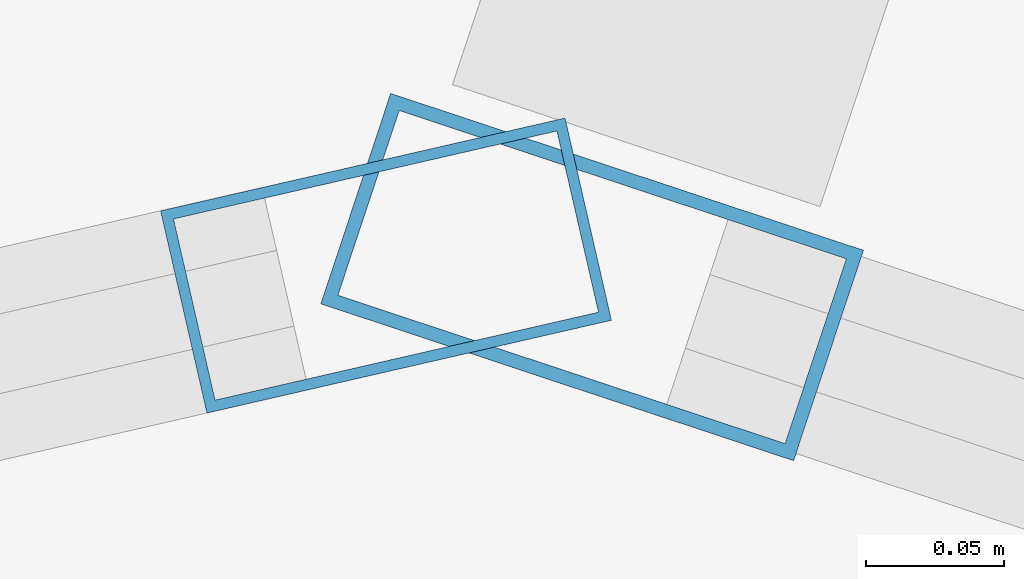
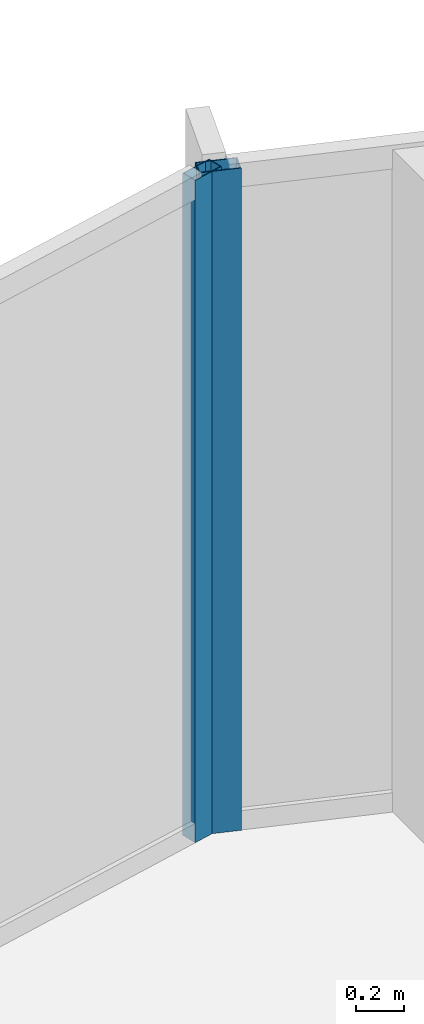
# One storey, part 22 of 34: 2 members, 2 elements without a shape of their own.
"""IFC4 building model written with IfcOpenShell, lengths in metres."""

from ifc_helpers import new_model, si_unit, direction, frame, origin, origin_2d, place, context, subcontext, project, spatial, hollow_rectangle, extrude, material, layer, layer_set, material_profile, profile_set, type_object, element, aggregate, save


model = new_model("IFC4")

# Units and contexts
model_context = context("Model", 3, precision=1e-05, world=origin(), true_north=direction((0.0, 1.0)))
body_context = subcontext(model_context, "Body", "Model", "MODEL_VIEW")
ifc_project = project(units=[si_unit("LENGTHUNIT", "METRE"), si_unit("AREAUNIT", "SQUARE_METRE"), si_unit("VOLUMEUNIT", "CUBIC_METRE"), si_unit("PLANEANGLEUNIT", "RADIAN"), si_unit("MASSUNIT", "GRAM", prefix="KILO")], contexts=[model_context])

# Site, building, storey
site_placement = place(None, origin())
site = spatial("IfcSite", under=ifc_project, at=site_placement, CompositionType="ELEMENT")
building_placement = place(site_placement, origin())
building = spatial("IfcBuilding", under=site, at=building_placement, Name="Kazevale Care Tower and Concert Hall", CompositionType="ELEMENT")
storey_placement = place(building_placement, frame((0.0, 0.0, 167.39990234375)))
storey = spatial("IfcBuildingStorey", under=building, at=storey_placement, Name="L44", CompositionType="ELEMENT", Elevation=167.39990234375)

# Curtain wall, member
ifc_material_1 = material(Name="Aluminium 6063-T6 and Low-E Glass", Category="aluminium")
ifc_layer_1 = layer(ifc_material_1, 0.179931640625)
ifc_layer_set_1 = layer_set([ifc_layer_1], Name="Aluminium 6063-T6 and Low-E Glass")
curtain_wall_type_1 = type_object("IfcCurtainWallType", Name="Convex Checkerboard Finned Curtain Wall CW-2", PredefinedType="NOTDEFINED", material=ifc_layer_set_1)
curtain_wall_1_placement = place(storey_placement, origin())
curtain_wall_1 = element("IfcCurtainWall", 1, at=curtain_wall_1_placement, inside=storey, type_object=curtain_wall_type_1, Name="cw:L44:f16", PredefinedType="NOTDEFINED")
ifc_material_2 = material(Name="Aluminium 6063-T6", Category="aluminium")
ifc_material_profile_1 = material_profile(ifc_material_2, hollow_rectangle(XDim=0.080078125, YDim=0.179931640625, WallThickness=0.0048828125, at=origin_2d()), Name="ALU80x180x5")
ifc_profile_set_1 = profile_set([ifc_material_profile_1], Name="Aluminium 6063-T6")
member_type_1 = type_object("IfcMemberType", Name="CW-2 Mullion ALU80x180x5", PredefinedType="MULLION", material=ifc_profile_set_1)
member_1_placement = place(storey_placement, frame((44.995849609375, 66.75537109375, 0.0), z_axis=(0.0, 0.0, 1.0), x_axis=(0.314868185785, 0.949135409507, 0.0)))
member_1 = element("IfcMember", 2, at=member_1_placement, type_object=member_type_1, Name="CW-2 mullion 1", PredefinedType="MULLION", context=body_context, shape_type="SweptSolid", body=[
    extrude(hollow_rectangle(XDim=0.080078125, YDim=0.179931640625, WallThickness=0.0048828125, at=origin_2d()), origin(), (0.0, 0.0, 1.0), 3.360107421875),
])
aggregate(curtain_wall_1, [member_1])

ifc_layer_2 = layer(ifc_material_1, 0.179931640625)
ifc_layer_set_2 = layer_set([ifc_layer_2], Name="Aluminium 6063-T6 and Low-E Glass")
curtain_wall_type_2 = type_object("IfcCurtainWallType", Name="Convex Recessed Sunroom Curtain Wall CW-3", PredefinedType="NOTDEFINED", material=ifc_layer_set_2)
curtain_wall_2_placement = place(storey_placement, origin())
curtain_wall_2 = element("IfcCurtainWall", 3, at=curtain_wall_2_placement, inside=storey, type_object=curtain_wall_type_2, Name="cw:L44:f15", PredefinedType="NOTDEFINED")
ifc_material_profile_2 = material_profile(ifc_material_2, hollow_rectangle(XDim=0.074951171875, YDim=0.14990234375, WallThickness=0.00390625, at=origin_2d()), Name="ALU75x150x4")
ifc_profile_set_2 = profile_set([ifc_material_profile_2], Name="Aluminium 6063-T6")
member_type_2 = type_object("IfcMemberType", Name="CW-3 Mullion ALU75x150x4", PredefinedType="MULLION", material=ifc_profile_set_2)
member_2_placement = place(storey_placement, frame((44.92138671875, 66.759521484375, 0.0), z_axis=(0.0, 0.0, 1.0), x_axis=(-0.223567329284, 0.974688488327, 0.0)))
member_2 = element("IfcMember", 4, at=member_2_placement, type_object=member_type_2, Name="CW-3 mullion 2", PredefinedType="MULLION", context=body_context, shape_type="SweptSolid", body=[
    extrude(hollow_rectangle(XDim=0.074951171875, YDim=0.14990234375, WallThickness=0.00390625, at=origin_2d()), origin(), (0.0, 0.0, 1.0), 3.360107421875),
])
aggregate(curtain_wall_2, [member_2])

save(model, "model.ifc")
